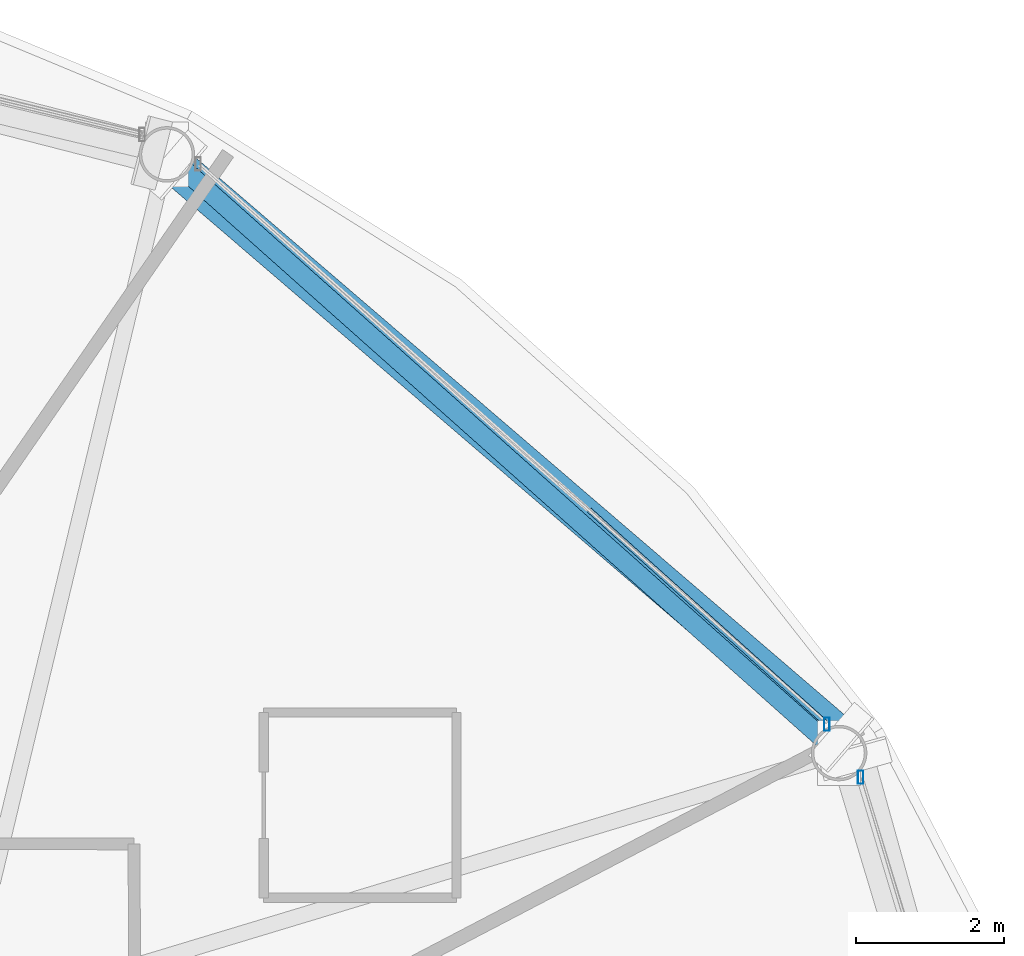
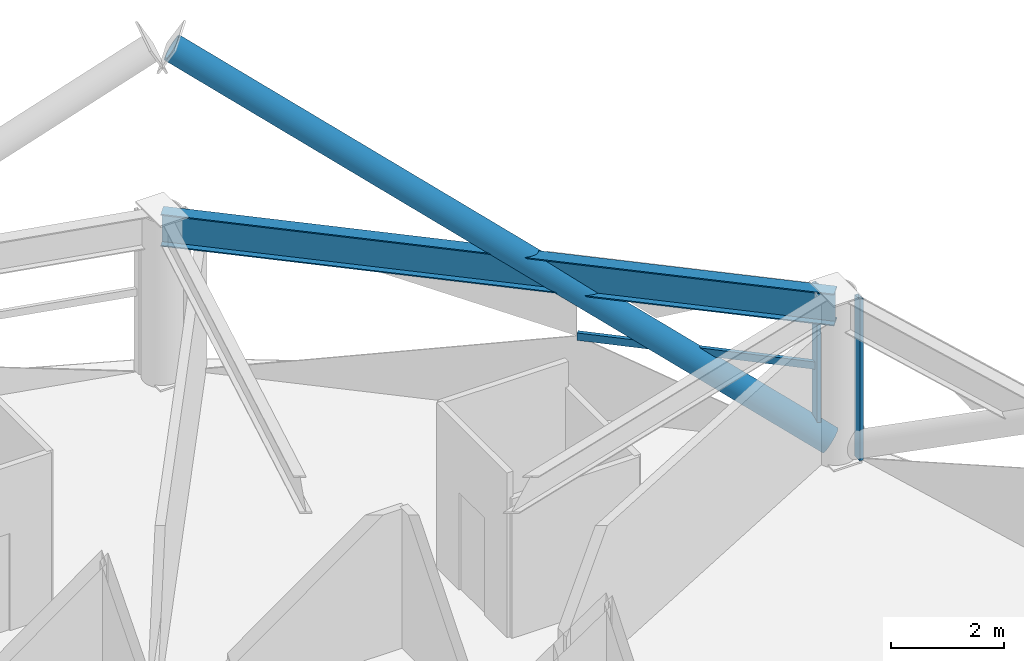
# One storey, part 18 of 29: 4 members, 1 beam, 2 elements without a shape of their own.
"""IFC4 building model written with IfcOpenShell, lengths in metres."""

from ifc_helpers import new_model, si_unit, direction, frame, origin, origin_2d, place, context, subcontext, project, spatial, hollow_rectangle, hollow_circle, i_section, extrude, material, layer, layer_set, material_profile, profile_set, type_object, element, aggregate, save


model = new_model("IFC4")

# Units and contexts
model_context = context("Model", 3, precision=1e-05, world=origin(), true_north=direction((0.0, 1.0)))
body_context = subcontext(model_context, "Body", "Model", "MODEL_VIEW")
ifc_project = project(units=[si_unit("LENGTHUNIT", "METRE"), si_unit("AREAUNIT", "SQUARE_METRE"), si_unit("VOLUMEUNIT", "CUBIC_METRE"), si_unit("PLANEANGLEUNIT", "RADIAN"), si_unit("MASSUNIT", "GRAM", prefix="KILO")], contexts=[model_context])

# Site, building, storey
site_placement = place(None, origin())
site = spatial("IfcSite", under=ifc_project, at=site_placement, CompositionType="ELEMENT")
building_placement = place(site_placement, origin())
building = spatial("IfcBuilding", under=site, at=building_placement, Name="Vantalir Tower", CompositionType="ELEMENT")
storey_placement = place(building_placement, frame((0.0, 0.0, 157.199951171875)))
storey = spatial("IfcBuildingStorey", under=building, at=storey_placement, Name="L39", CompositionType="ELEMENT", Elevation=157.199951171875)

# Beam
ifc_material_1 = material(Name="Steel S460", Category="steel")
ifc_material_profile_1 = material_profile(ifc_material_1, i_section(OverallWidth=0.256103515625, OverallDepth=0.693115234375, WebThickness=0.014404296875, FlangeThickness=0.023681640625, at=origin_2d()), Name="Steel S460")
ifc_profile_set_1 = profile_set([ifc_material_profile_1], Name="Steel S460")
beam_type = type_object("IfcBeamType", Name="BM-RG-686x254", PredefinedType="USERDEFINED", material=ifc_profile_set_1)
beam_placement = place(storey_placement, frame((52.962890625, 36.033935546875, 3.22412109375), z_axis=(-0.746787977639, 0.665062189915, 0.0), x_axis=(-0.665062189915, -0.746787977639, 0.0)))
element("IfcBeam", 1, at=beam_placement, inside=storey, type_object=beam_type, Name="L39 Circumferential Ring Girder 02", ObjectType="GIRDER", PredefinedType="USERDEFINED", context=body_context, shape_type="SweptSolid", body=[
    extrude(i_section(OverallWidth=0.256103515625, OverallDepth=0.693115234375, WebThickness=0.014404296875, FlangeThickness=0.023681640625, at=origin_2d()), origin(), (0.0, 0.0, 1.0), 12.146484375),
])

# Curtain wall, member
ifc_material_2 = material(Name="Champagne-silver PVDF aluminium and double-silver Low-E glass", Category="aluminium")
ifc_layer = layer(ifc_material_2, 0.199951171875)
ifc_layer_set = layer_set([ifc_layer], Name="Champagne-silver PVDF aluminium and double-silver Low-E glass")
curtain_wall_type = type_object("IfcCurtainWallType", Name="CW-DIAMOND-Z2", PredefinedType="USERDEFINED", material=ifc_layer_set)
curtain_wall_1_placement = place(storey_placement, origin())
curtain_wall_1 = element("IfcCurtainWall", 2, at=curtain_wall_1_placement, inside=storey, type_object=curtain_wall_type, Name="L39 Quilted Pyramid-Diamond Curtain Wall S01", ObjectType="UNITISED CURTAIN WALL", PredefinedType="USERDEFINED")
ifc_material_3 = material(Name="Champagne-silver PVDF aluminium 6063-T6", Category="aluminium")
ifc_material_profile_2 = material_profile(ifc_material_3, hollow_rectangle(XDim=0.074951171875, YDim=0.179931640625, WallThickness=0.00390625, at=origin_2d()), Name="Champagne-silver PVDF aluminium 6063-T6")
ifc_profile_set_2 = profile_set([ifc_material_profile_2], Name="Champagne-silver PVDF aluminium 6063-T6")
member_type_1 = type_object("IfcMemberType", Name="CWM-180x75", PredefinedType="MULLION", material=ifc_profile_set_2)
member_1_placement = place(storey_placement, frame((53.25390625, 35.7080078125, 0.045166015625), z_axis=(0.0, 0.0, 1.0), x_axis=(1.0, 0.0, 0.0)))
member_1 = element("IfcMember", 3, at=member_1_placement, type_object=member_type_1, Name="CW-L39-S01 Mullion 2", PredefinedType="MULLION", context=body_context, shape_type="SweptSolid", body=[
    extrude(hollow_rectangle(XDim=0.074951171875, YDim=0.179931640625, WallThickness=0.00390625, at=origin_2d()), origin(), (0.0, 0.0, 1.0), 3.47998046875),
])
aggregate(curtain_wall_1, [member_1])

# Curtain wall, members
curtain_wall_2_placement = place(storey_placement, origin())
curtain_wall_2 = element("IfcCurtainWall", 4, at=curtain_wall_2_placement, inside=storey, type_object=curtain_wall_type, Name="L39 Quilted Pyramid-Diamond Curtain Wall S02", ObjectType="UNITISED CURTAIN WALL", PredefinedType="USERDEFINED")
member_2_placement = place(storey_placement, frame((52.799072265625, 36.422119140625, 0.045166015625), z_axis=(0.0, 0.0, 1.0), x_axis=(1.0, 0.0, 0.0)))
member_2 = element("IfcMember", 5, at=member_2_placement, type_object=member_type_1, Name="CW-L39-S02 Mullion 1", PredefinedType="MULLION", context=body_context, shape_type="SweptSolid", body=[
    extrude(hollow_rectangle(XDim=0.074951171875, YDim=0.179931640625, WallThickness=0.00390625, at=origin_2d()), origin(), (0.0, 0.0, 1.0), 3.47998046875),
])
ifc_material_profile_3 = material_profile(ifc_material_3, hollow_rectangle(XDim=0.074951171875, YDim=0.159912109375, WallThickness=0.00390625, at=origin_2d()), Name="Champagne-silver PVDF aluminium 6063-T6")
ifc_profile_set_3 = profile_set([ifc_material_profile_3], Name="Champagne-silver PVDF aluminium 6063-T6")
member_type_2 = type_object("IfcMemberType", Name="CWT-160x75", PredefinedType="USERDEFINED", material=ifc_profile_set_3)
member_3_placement = place(storey_placement, frame((52.799072265625, 36.422119140625, 1.78515625), z_axis=(-0.742905711405, 0.669396074056, 0.0), x_axis=(-0.669396074056, -0.742905711405, 0.0)))
member_3 = element("IfcMember", 6, at=member_3_placement, type_object=member_type_2, Name="CW-L39-S02 Pyramid Fold Ridge Transom", ObjectType="TRANSOM", PredefinedType="USERDEFINED", context=body_context, shape_type="SweptSolid", body=[
    extrude(hollow_rectangle(XDim=0.074951171875, YDim=0.159912109375, WallThickness=0.00390625, at=origin_2d()), origin(), (0.0, 0.0, 1.0), 4.314208984375),
])
aggregate(curtain_wall_2, [member_2, member_3])

# Member
ifc_material_profile_4 = material_profile(ifc_material_1, hollow_circle(Radius=0.260009765625, WallThickness=0.0380859375, at=origin_2d()), Name="Steel S460")
ifc_profile_set_4 = profile_set([ifc_material_profile_4], Name="Steel S460")
member_type_3 = type_object("IfcMemberType", Name="MEM-DB-520x38", PredefinedType="BRACE", material=ifc_profile_set_4)
member_4_placement = place(storey_placement, frame((52.98291015625, 36.2529296875, 0.191162109375), z_axis=(-0.654430272341, 0.561992997643, 0.505850659034), x_axis=(-0.651494633109, -0.758653242945, 0.0)))
element("IfcMember", 7, at=member_4_placement, inside=storey, type_object=member_type_3, Name="L39 Perimeter S460 Diagrid Brace R04L", PredefinedType="BRACE", context=body_context, shape_type="SweptSolid", body=[
    extrude(hollow_circle(Radius=0.260009765625, WallThickness=0.0380859375, at=origin_2d()), origin(), (0.0, 0.0, 1.0), 13.715576171875),
])

save(model, "model.ifc")
